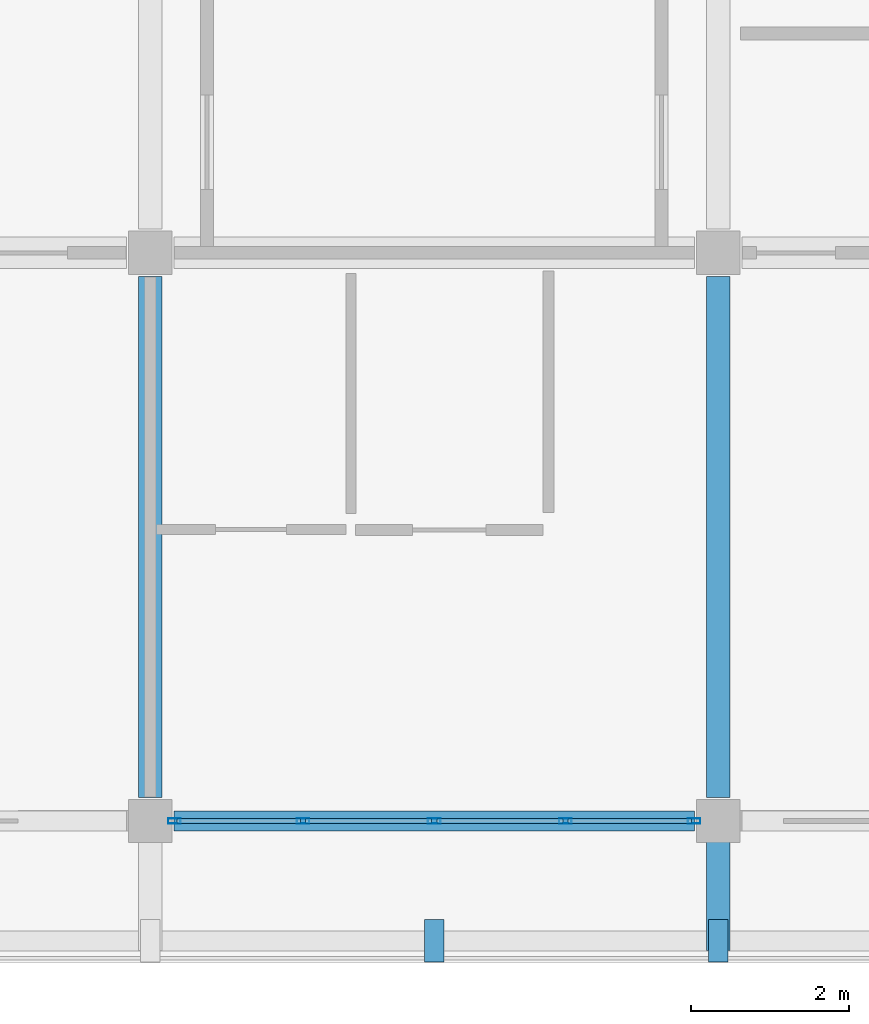
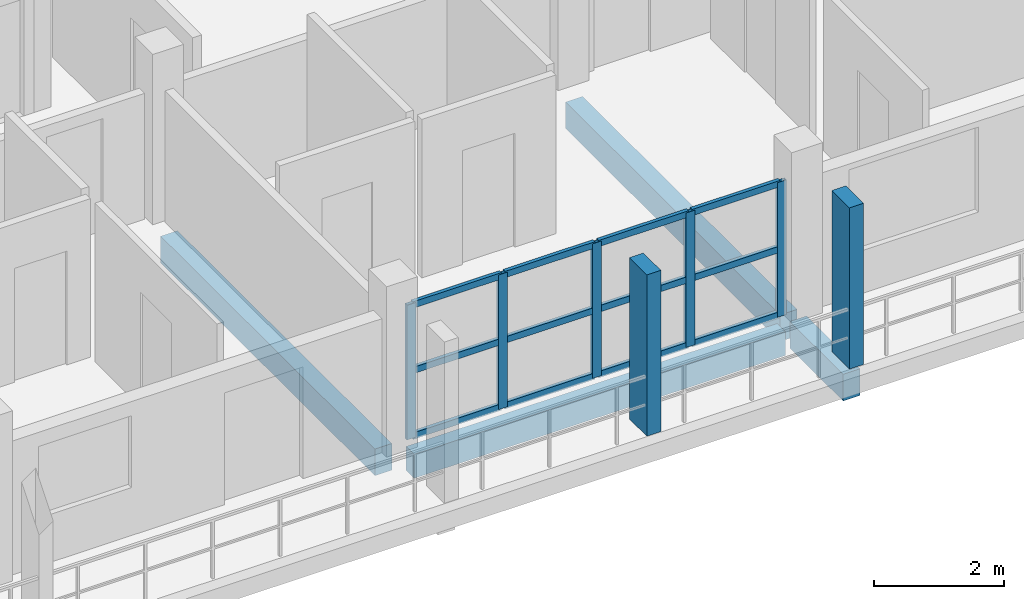
# One storey, part 6 of 73: 19 members, 4 beams, 1 element without a shape of its own.
"""IFC4 building model written with IfcOpenShell, lengths in metres."""

from ifc_helpers import new_model, si_unit, direction, frame, origin, origin_2d, place, context, subcontext, project, spatial, rectangle, hollow_rectangle, extrude, material, material_profile, profile_set, type_object, element, aggregate, save


model = new_model("IFC4")

# Units and contexts
model_context = context("Model", 3, precision=1e-05, world=origin(), true_north=direction((0.0, 1.0)))
body_context = subcontext(model_context, "Body", "Model", "MODEL_VIEW")
ifc_project = project(units=[si_unit("LENGTHUNIT", "METRE"), si_unit("AREAUNIT", "SQUARE_METRE"), si_unit("VOLUMEUNIT", "CUBIC_METRE"), si_unit("PLANEANGLEUNIT", "RADIAN"), si_unit("MASSUNIT", "GRAM", prefix="KILO")], contexts=[model_context])

# Site, building, storey
site_placement = place(None, origin())
site = spatial("IfcSite", under=ifc_project, at=site_placement, CompositionType="ELEMENT")
building_placement = place(site_placement, origin())
building = spatial("IfcBuilding", under=site, at=building_placement, Name="Suanplinth Sawtooth Commons", CompositionType="ELEMENT")
storey_placement = place(building_placement, frame((0.0, 0.0, 21.89990234375)))
storey = spatial("IfcBuildingStorey", under=building, at=storey_placement, Name="L06", CompositionType="ELEMENT", Elevation=21.89990234375)

# Beams
ifc_material_1 = material(Name="Precast concrete C40/50", Category="concrete")
ifc_material_profile_1 = material_profile(ifc_material_1, rectangle(XDim=0.300048828125, YDim=0.5, at=origin_2d()), Name="PC-BM 300x500")
ifc_profile_set_1 = profile_set([ifc_material_profile_1], Name="Precast concrete C40/50")
beam_type_1 = type_object("IfcBeamType", Name="B-07", PredefinedType="BEAM", material=ifc_profile_set_1)
for number, where, z_axis, x_axis, name in (
    (1, (36.0, 0.300048828125, -0.489990234375), (0.0, 1.0, 0.0), (-1.0, 0.0, 0.0), "BMY-L06-D-5-0"),
    (2, (43.199951171875, 0.300048828125, -0.489990234375), (0.0, 1.0, 0.0), (-1.0, 0.0, 0.0), "BMY-L06-D-6-0"),
):
    element("IfcBeam", number, at=place(storey_placement, frame(where, z_axis=z_axis, x_axis=x_axis)), inside=storey, type_object=beam_type_1, Name=name, PredefinedType="BEAM", context=body_context, shape_type="SweptSolid", body=[
        extrude(rectangle(XDim=0.300048828125, YDim=0.5, at=origin_2d()), origin(), (0.0, 0.0, 1.0), 6.599853515625),
    ])
beam_1_placement = place(storey_placement, frame((43.199951171875, 0.0, -0.429931640625), z_axis=(0.0, -1.0, 0.0), x_axis=(1.0, 0.0, 0.0)))
element("IfcBeam", 3, at=beam_1_placement, inside=storey, type_object=beam_type_1, Name="Balcony Outrigger L06-D-S-6", PredefinedType="BEAM", context=body_context, shape_type="SweptSolid", body=[
    extrude(rectangle(XDim=0.300048828125, YDim=0.5, at=origin_2d()), origin(), (0.0, 0.0, 1.0), 1.639892578125),
])
ifc_material_profile_2 = material_profile(ifc_material_1, rectangle(XDim=0.25, YDim=0.449951171875, at=origin_2d()), Name="PC-SP 250x450")
ifc_profile_set_2 = profile_set([ifc_material_profile_2], Name="Precast concrete C40/50")
beam_type_2 = type_object("IfcBeamType", Name="B-09", PredefinedType="SPANDREL", material=ifc_profile_set_2)
beam_2_placement = place(storey_placement, frame((36.300048828125, 0.0, -0.46484375), z_axis=(1.0, 0.0, 0.0), x_axis=(0.0, 1.0, 0.0)))
element("IfcBeam", 4, at=beam_2_placement, inside=storey, type_object=beam_type_2, Name="BMX-L06-D-5-0", PredefinedType="SPANDREL", context=body_context, shape_type="SweptSolid", body=[
    extrude(rectangle(XDim=0.25, YDim=0.449951171875, at=origin_2d()), origin(), (0.0, 0.0, 1.0), 6.599853515625),
])

# Members
ifc_material_2 = material(Name="Pigmented precast concrete C40/50", Category="concrete")
ifc_material_profile_3 = material_profile(ifc_material_2, rectangle(XDim=0.25, YDim=0.5400390625, at=origin_2d()), Name="PC-FIN 250x540")
ifc_profile_set_3 = profile_set([ifc_material_profile_3], Name="Pigmented precast concrete C40/50")
member_type_1 = type_object("IfcMemberType", Name="M-11", PredefinedType="USERDEFINED", material=ifc_profile_set_3)
for number, where, z_axis, x_axis, name in (
    (5, (39.60009765625, -1.52001953125, 0.0), (0.0, 0.0, 1.0), (1.0, 0.0, 0.0), "Upright Solar Blade L06-D-S-07"),
    (6, (43.199951171875, -1.52001953125, 0.0), (0.0, 0.0, 1.0), (1.0, 0.0, 0.0), "Upright Solar Blade L06-D-S-08"),
):
    element("IfcMember", number, at=place(storey_placement, frame(where, z_axis=z_axis, x_axis=x_axis)), inside=storey, type_object=member_type_1, Name=name, ObjectType="SHADING FIN", PredefinedType="USERDEFINED", context=body_context, shape_type="SweptSolid", body=[
        extrude(rectangle(XDim=0.25, YDim=0.5400390625, at=origin_2d()), origin(), (0.0, 0.0, 1.0), 3.030029296875),
    ])

# Curtain wall, members
ifc_material_3 = material(Name="Anodized aluminium and low-E glazing", Category="aluminium")
curtain_wall_type = type_object("IfcCurtainWallType", Name="CW-06", PredefinedType="USERDEFINED", material=ifc_material_3)
curtain_wall_placement = place(storey_placement, origin())
curtain_wall = element("IfcCurtainWall", 7, at=curtain_wall_placement, inside=storey, type_object=curtain_wall_type, Name="Curtain Wall CW-L06-D-LOUNGE-5", ObjectType="CURTAIN WALL", PredefinedType="USERDEFINED")
ifc_material_4 = material(Name="Anodized aluminium 6063-T6", Category="aluminium")
ifc_material_profile_4 = material_profile(ifc_material_4, hollow_rectangle(XDim=0.06494140625, YDim=0.159912109375, WallThickness=0.00390625, at=origin_2d()), Name="ALU-MUL 65x160")
ifc_profile_set_4 = profile_set([ifc_material_profile_4], Name="Anodized aluminium 6063-T6")
member_type_2 = type_object("IfcMemberType", Name="M-13", PredefinedType="MULLION", material=ifc_profile_set_4)
member_1_placement = place(storey_placement, frame((36.3076171875, 0.0, 0.0), z_axis=(0.0, 0.0, 1.0), x_axis=(0.0, 1.0, 0.0)))
member_1 = element("IfcMember", 8, at=member_1_placement, type_object=member_type_2, Name="CW-06 mullion 1", PredefinedType="MULLION", context=body_context, shape_type="SweptSolid", body=[
    extrude(hollow_rectangle(XDim=0.06494140625, YDim=0.159912109375, WallThickness=0.00390625, at=origin_2d()), origin(), (0.0, 0.0, 1.0), 2.530029296875),
])
member_2_placement = place(storey_placement, frame((37.9375, 0.0, 0.0), z_axis=(0.0, 0.0, 1.0), x_axis=(0.0, 1.0, 0.0)))
member_2 = element("IfcMember", 9, at=member_2_placement, type_object=member_type_2, Name="CW-06 mullion 2", PredefinedType="MULLION", context=body_context, shape_type="SweptSolid", body=[
    extrude(hollow_rectangle(XDim=0.06494140625, YDim=0.159912109375, WallThickness=0.00390625, at=origin_2d()), origin(), (0.0, 0.0, 1.0), 2.530029296875),
])
member_3_placement = place(storey_placement, frame((39.60009765625, 0.0, 0.0), z_axis=(0.0, 0.0, 1.0), x_axis=(0.0, 1.0, 0.0)))
member_3 = element("IfcMember", 10, at=member_3_placement, type_object=member_type_2, Name="CW-06 mullion 3", PredefinedType="MULLION", context=body_context, shape_type="SweptSolid", body=[
    extrude(hollow_rectangle(XDim=0.06494140625, YDim=0.159912109375, WallThickness=0.00390625, at=origin_2d()), origin(), (0.0, 0.0, 1.0), 2.530029296875),
])
member_4_placement = place(storey_placement, frame((41.262451171875, 0.0, 0.0), z_axis=(0.0, 0.0, 1.0), x_axis=(0.0, 1.0, 0.0)))
member_4 = element("IfcMember", 11, at=member_4_placement, type_object=member_type_2, Name="CW-06 mullion 4", PredefinedType="MULLION", context=body_context, shape_type="SweptSolid", body=[
    extrude(hollow_rectangle(XDim=0.06494140625, YDim=0.159912109375, WallThickness=0.00390625, at=origin_2d()), origin(), (0.0, 0.0, 1.0), 2.530029296875),
])
member_5_placement = place(storey_placement, frame((42.892578125, 0.0, 0.0), z_axis=(0.0, 0.0, 1.0), x_axis=(0.0, 1.0, 0.0)))
member_5 = element("IfcMember", 12, at=member_5_placement, type_object=member_type_2, Name="CW-06 mullion 5", PredefinedType="MULLION", context=body_context, shape_type="SweptSolid", body=[
    extrude(hollow_rectangle(XDim=0.06494140625, YDim=0.159912109375, WallThickness=0.00390625, at=origin_2d()), origin(), (0.0, 0.0, 1.0), 2.530029296875),
])
ifc_material_profile_5 = material_profile(ifc_material_4, hollow_rectangle(XDim=0.06494140625, YDim=0.1201171875, WallThickness=0.00390625, at=origin_2d()), Name="ALU-TRN 65x120")
ifc_profile_set_5 = profile_set([ifc_material_profile_5], Name="Anodized aluminium 6063-T6")
member_type_3 = type_object("IfcMemberType", Name="M-15", PredefinedType="USERDEFINED", material=ifc_profile_set_5)
member_6_placement = place(storey_placement, frame((36.340087890625, 0.0, 0.03271484375), z_axis=(1.0, 0.0, 0.0), x_axis=(0.0, 1.0, 0.0)))
member_6 = element("IfcMember", 13, at=member_6_placement, type_object=member_type_3, Name="CW-06 transom 1.1", ObjectType="TRANSOM", PredefinedType="USERDEFINED", context=body_context, shape_type="SweptSolid", body=[
    extrude(hollow_rectangle(XDim=0.06494140625, YDim=0.1201171875, WallThickness=0.00390625, at=origin_2d()), origin(), (0.0, 0.0, 1.0), 1.56494140625),
])
member_7_placement = place(storey_placement, frame((36.340087890625, 0.0, 1.26513671875), z_axis=(1.0, 0.0, 0.0), x_axis=(0.0, 1.0, 0.0)))
member_7 = element("IfcMember", 14, at=member_7_placement, type_object=member_type_3, Name="CW-06 transom 1.2", ObjectType="TRANSOM", PredefinedType="USERDEFINED", context=body_context, shape_type="SweptSolid", body=[
    extrude(hollow_rectangle(XDim=0.06494140625, YDim=0.1201171875, WallThickness=0.00390625, at=origin_2d()), origin(), (0.0, 0.0, 1.0), 1.56494140625),
])
member_8_placement = place(storey_placement, frame((36.340087890625, 0.0, 2.49755859375), z_axis=(1.0, 0.0, 0.0), x_axis=(0.0, 1.0, 0.0)))
member_8 = element("IfcMember", 15, at=member_8_placement, type_object=member_type_3, Name="CW-06 transom 1.3", ObjectType="TRANSOM", PredefinedType="USERDEFINED", context=body_context, shape_type="SweptSolid", body=[
    extrude(hollow_rectangle(XDim=0.06494140625, YDim=0.1201171875, WallThickness=0.00390625, at=origin_2d()), origin(), (0.0, 0.0, 1.0), 1.56494140625),
])
member_9_placement = place(storey_placement, frame((37.969970703125, 0.0, 0.03271484375), z_axis=(1.0, 0.0, 0.0), x_axis=(0.0, 1.0, 0.0)))
member_9 = element("IfcMember", 16, at=member_9_placement, type_object=member_type_3, Name="CW-06 transom 2.1", ObjectType="TRANSOM", PredefinedType="USERDEFINED", context=body_context, shape_type="SweptSolid", body=[
    extrude(hollow_rectangle(XDim=0.06494140625, YDim=0.1201171875, WallThickness=0.00390625, at=origin_2d()), origin(), (0.0, 0.0, 1.0), 1.597412109375),
])
member_10_placement = place(storey_placement, frame((37.969970703125, 0.0, 1.26513671875), z_axis=(1.0, 0.0, 0.0), x_axis=(0.0, 1.0, 0.0)))
member_10 = element("IfcMember", 17, at=member_10_placement, type_object=member_type_3, Name="CW-06 transom 2.2", ObjectType="TRANSOM", PredefinedType="USERDEFINED", context=body_context, shape_type="SweptSolid", body=[
    extrude(hollow_rectangle(XDim=0.06494140625, YDim=0.1201171875, WallThickness=0.00390625, at=origin_2d()), origin(), (0.0, 0.0, 1.0), 1.597412109375),
])
member_11_placement = place(storey_placement, frame((37.969970703125, 0.0, 2.49755859375), z_axis=(1.0, 0.0, 0.0), x_axis=(0.0, 1.0, 0.0)))
member_11 = element("IfcMember", 18, at=member_11_placement, type_object=member_type_3, Name="CW-06 transom 2.3", ObjectType="TRANSOM", PredefinedType="USERDEFINED", context=body_context, shape_type="SweptSolid", body=[
    extrude(hollow_rectangle(XDim=0.06494140625, YDim=0.1201171875, WallThickness=0.00390625, at=origin_2d()), origin(), (0.0, 0.0, 1.0), 1.597412109375),
])
member_12_placement = place(storey_placement, frame((39.632568359375, 0.0, 0.03271484375), z_axis=(1.0, 0.0, 0.0), x_axis=(0.0, 1.0, 0.0)))
member_12 = element("IfcMember", 19, at=member_12_placement, type_object=member_type_3, Name="CW-06 transom 3.1", ObjectType="TRANSOM", PredefinedType="USERDEFINED", context=body_context, shape_type="SweptSolid", body=[
    extrude(hollow_rectangle(XDim=0.06494140625, YDim=0.1201171875, WallThickness=0.00390625, at=origin_2d()), origin(), (0.0, 0.0, 1.0), 1.597412109375),
])
member_13_placement = place(storey_placement, frame((39.632568359375, 0.0, 1.26513671875), z_axis=(1.0, 0.0, 0.0), x_axis=(0.0, 1.0, 0.0)))
member_13 = element("IfcMember", 20, at=member_13_placement, type_object=member_type_3, Name="CW-06 transom 3.2", ObjectType="TRANSOM", PredefinedType="USERDEFINED", context=body_context, shape_type="SweptSolid", body=[
    extrude(hollow_rectangle(XDim=0.06494140625, YDim=0.1201171875, WallThickness=0.00390625, at=origin_2d()), origin(), (0.0, 0.0, 1.0), 1.597412109375),
])
member_14_placement = place(storey_placement, frame((39.632568359375, 0.0, 2.49755859375), z_axis=(1.0, 0.0, 0.0), x_axis=(0.0, 1.0, 0.0)))
member_14 = element("IfcMember", 21, at=member_14_placement, type_object=member_type_3, Name="CW-06 transom 3.3", ObjectType="TRANSOM", PredefinedType="USERDEFINED", context=body_context, shape_type="SweptSolid", body=[
    extrude(hollow_rectangle(XDim=0.06494140625, YDim=0.1201171875, WallThickness=0.00390625, at=origin_2d()), origin(), (0.0, 0.0, 1.0), 1.597412109375),
])
member_15_placement = place(storey_placement, frame((41.294921875, 0.0, 0.03271484375), z_axis=(1.0, 0.0, 0.0), x_axis=(0.0, 1.0, 0.0)))
member_15 = element("IfcMember", 22, at=member_15_placement, type_object=member_type_3, Name="CW-06 transom 4.1", ObjectType="TRANSOM", PredefinedType="USERDEFINED", context=body_context, shape_type="SweptSolid", body=[
    extrude(hollow_rectangle(XDim=0.06494140625, YDim=0.1201171875, WallThickness=0.00390625, at=origin_2d()), origin(), (0.0, 0.0, 1.0), 1.565185546875),
])
member_16_placement = place(storey_placement, frame((41.294921875, 0.0, 1.26513671875), z_axis=(1.0, 0.0, 0.0), x_axis=(0.0, 1.0, 0.0)))
member_16 = element("IfcMember", 23, at=member_16_placement, type_object=member_type_3, Name="CW-06 transom 4.2", ObjectType="TRANSOM", PredefinedType="USERDEFINED", context=body_context, shape_type="SweptSolid", body=[
    extrude(hollow_rectangle(XDim=0.06494140625, YDim=0.1201171875, WallThickness=0.00390625, at=origin_2d()), origin(), (0.0, 0.0, 1.0), 1.565185546875),
])
member_17_placement = place(storey_placement, frame((41.294921875, 0.0, 2.49755859375), z_axis=(1.0, 0.0, 0.0), x_axis=(0.0, 1.0, 0.0)))
member_17 = element("IfcMember", 24, at=member_17_placement, type_object=member_type_3, Name="CW-06 transom 4.3", ObjectType="TRANSOM", PredefinedType="USERDEFINED", context=body_context, shape_type="SweptSolid", body=[
    extrude(hollow_rectangle(XDim=0.06494140625, YDim=0.1201171875, WallThickness=0.00390625, at=origin_2d()), origin(), (0.0, 0.0, 1.0), 1.565185546875),
])
aggregate(curtain_wall, [member_1, member_2, member_3, member_4, member_5, member_6, member_7, member_8, member_9, member_10, member_11, member_12, member_13, member_14, member_15, member_16, member_17])

save(model, "model.ifc")
